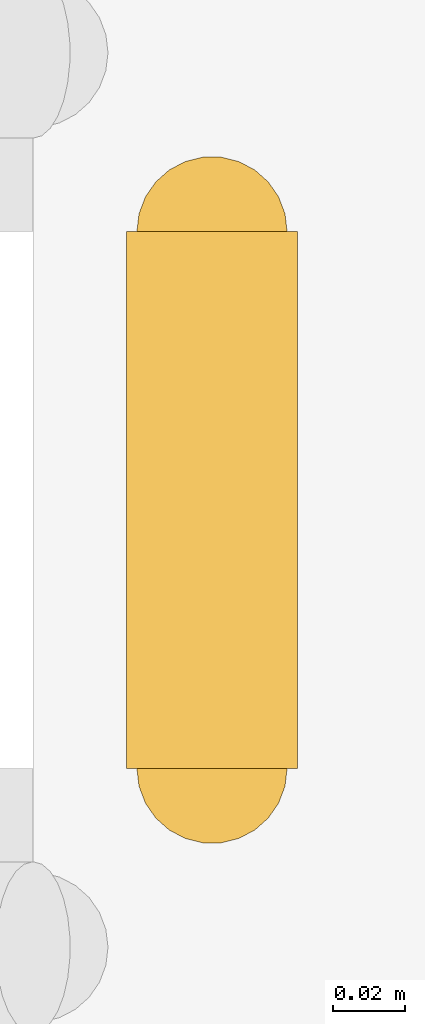
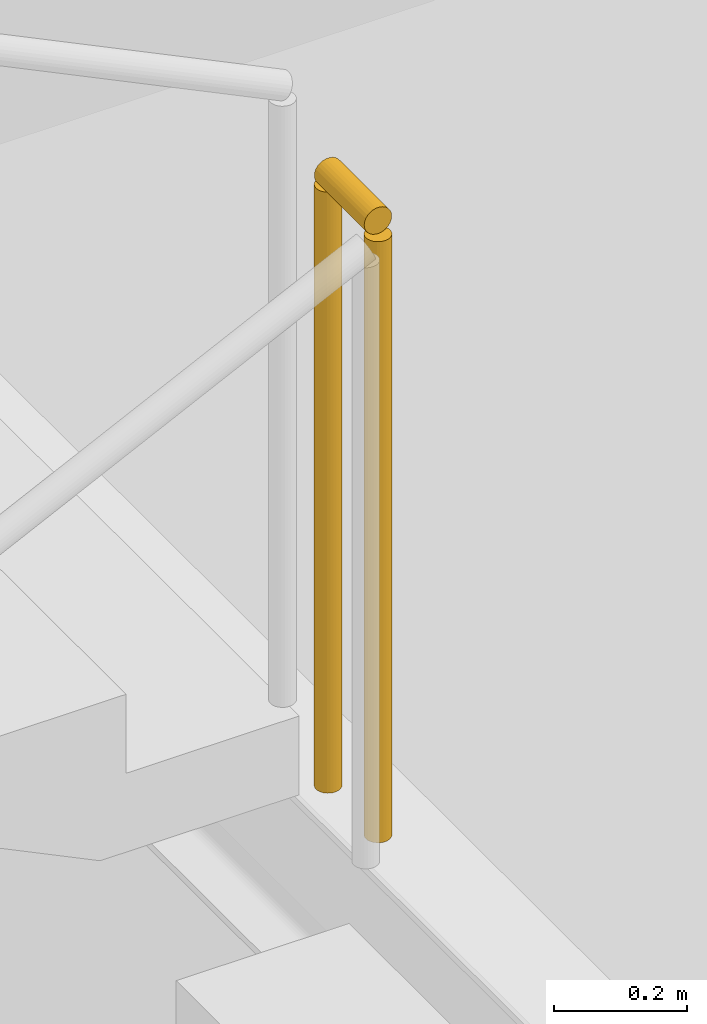
# One storey, part 22 of 29: 1 railing.
"""IFC4 building model written with IfcOpenShell, lengths in metres."""

from ifc_helpers import new_model, si_unit, direction, frame, origin, origin_2d, place, context, subcontext, project, spatial, circle, extrude, material, type_object, element, save


model = new_model("IFC4")

# Units and contexts
model_context = context("Model", 3, precision=1e-05, world=origin(), true_north=direction((0.0, 1.0)))
body_context = subcontext(model_context, "Body", "Model", "MODEL_VIEW")
ifc_project = project(units=[si_unit("LENGTHUNIT", "METRE"), si_unit("AREAUNIT", "SQUARE_METRE"), si_unit("VOLUMEUNIT", "CUBIC_METRE"), si_unit("PLANEANGLEUNIT", "RADIAN"), si_unit("MASSUNIT", "GRAM", prefix="KILO")], contexts=[model_context])

# Site, building, storey
site_placement = place(None, origin())
site = spatial("IfcSite", under=ifc_project, at=site_placement, CompositionType="ELEMENT")
building_placement = place(site_placement, origin())
building = spatial("IfcBuilding", under=site, at=building_placement, Name="Punatoya Terracotta Tower", CompositionType="ELEMENT")
storey_placement = place(building_placement, frame((0.0, 0.0, 172.199951171875)))
storey = spatial("IfcBuildingStorey", under=building, at=storey_placement, Name="L40", CompositionType="ELEMENT", Elevation=172.199951171875)

# Railing
ifc_material = material(Name="Steel S355", Category="steel")
railing_type = type_object("IfcRailingType", Name="RLG-GRD-1150", PredefinedType="GUARDRAIL", material=ifc_material)
railing_placement = place(storey_placement, frame((1.050048828125, 7.0, 2.025146484375)))
element("IfcRailing", 1, at=railing_placement, inside=storey, type_object=railing_type, Name="L40 ST-3 stair guard 2", PredefinedType="GUARDRAIL", context=body_context, shape_type="SweptSolid", body=[
    extrude(circle(Radius=0.02392578125, at=origin_2d()), frame((0.0, 0.0, 1.1259765625), z_axis=(0.0, 1.0, 0.0), x_axis=(-1.0, 0.0, 0.0)), (0.0, 0.0, 1.0), 0.14990234375),
    extrude(circle(Radius=0.02099609375, at=origin_2d()), origin(), (0.0, 0.0, 1.0), 1.101806640625),
    extrude(circle(Radius=0.02099609375, at=origin_2d()), frame((0.0, 0.14990234375, 0.0)), (0.0, 0.0, 1.0), 1.101806640625),
])

save(model, "model.ifc")
